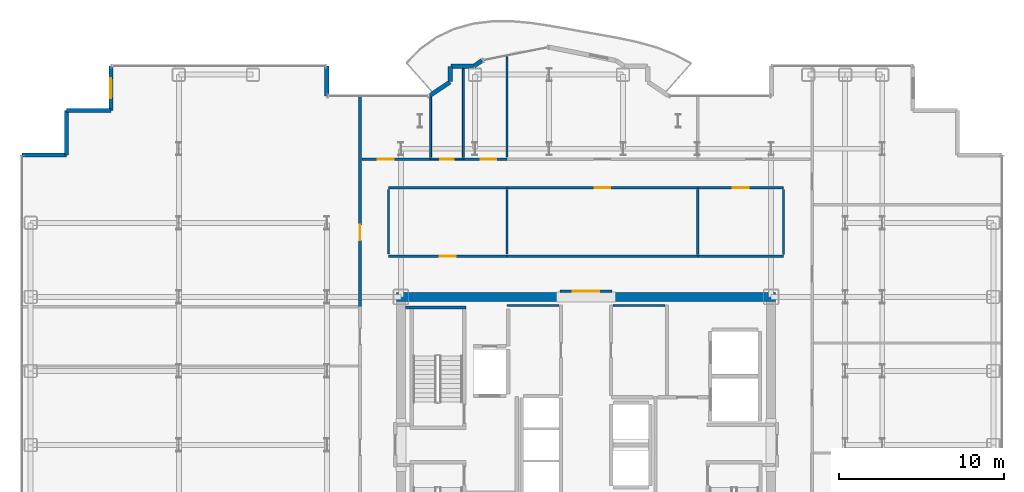
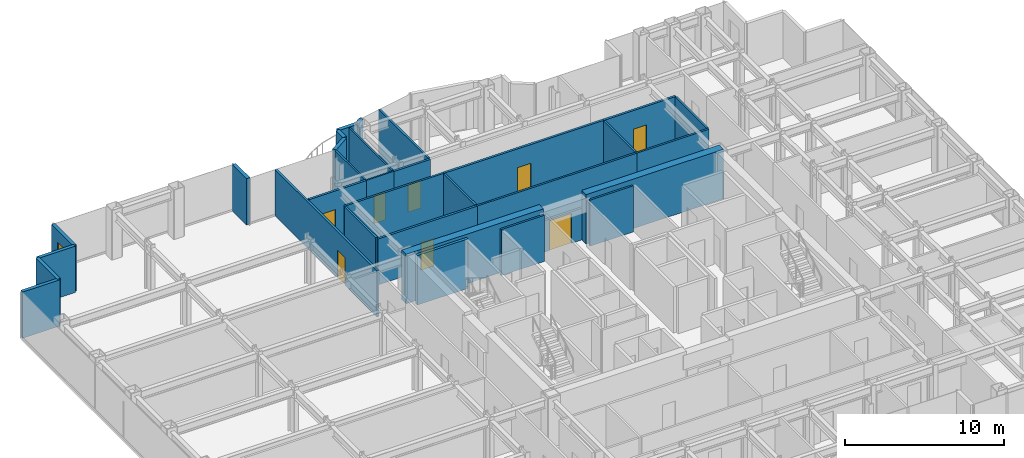
# One storey, part 19 of 23: 32 walls, 8 doors, 1 window, 9 openings.
"""IFC4 building model written with IfcOpenShell, lengths in metres."""

from ifc_helpers import new_model, si_unit, direction, frame, frame_2d, origin, place, context, subcontext, project, spatial, rectangle, extrude, source, transform, mapped, material, layer, layer_set, type_object, element, fill, save


model = new_model("IFC4")

# Units and contexts
model_context = context("Model", 3, precision=1e-05, world=origin(), true_north=direction((0.0, 1.0)))
body_context = subcontext(model_context, "Body", "Model", "MODEL_VIEW")
ifc_project = project(units=[si_unit("LENGTHUNIT", "METRE"), si_unit("AREAUNIT", "SQUARE_METRE"), si_unit("VOLUMEUNIT", "CUBIC_METRE"), si_unit("PLANEANGLEUNIT", "RADIAN"), si_unit("MASSUNIT", "GRAM", prefix="KILO")], contexts=[model_context])

# Site, building, storey
site_placement = place(None, origin())
site = spatial("IfcSite", under=ifc_project, at=site_placement, CompositionType="ELEMENT")
building_placement = place(site_placement, origin())
building = spatial("IfcBuilding", under=site, at=building_placement, Name="Nefas-Gora Pilgrimage Tower", CompositionType="ELEMENT")
storey_placement = place(building_placement, frame((0.0, 0.0, 164.0)))
storey = spatial("IfcBuildingStorey", under=building, at=storey_placement, Name="L40", CompositionType="ELEMENT", Elevation=164.0)

# Walls
ifc_material_1 = material(Name="Concrete C60/75", Category="concrete")
ifc_layer_1 = layer(ifc_material_1, 0.550048828125)
ifc_layer_set_1 = layer_set([ifc_layer_1], Name="Concrete C60/75")
wall_type_1 = type_object("IfcWallType", Name="SW-CORE-550", PredefinedType="SHEAR", material=ifc_layer_set_1)
shared_shape_1 = source(origin(), body_context, "Body", "SweptSolid", [
    extrude(rectangle(XDim=9.974853515625, YDim=0.550048828125, at=frame_2d((4.9873046875, 0.0))), origin(), (0.0, 0.0, 1.0), 3.800048828125),
])
for number, where, z_axis, x_axis, name in (
    (1, (-11.52490234375, 9.0, 0.0), (0.0, 0.0, 1.0), (1.0, 0.0, 0.0), "L40 Core Shear Wall N-West"),
    (2, (1.550048828125, 9.0, 0.0), (0.0, 0.0, 1.0), (1.0, 0.0, 0.0), "L40 Core Shear Wall N-East"),
):
    element("IfcWall", number, at=place(storey_placement, frame(where, z_axis=z_axis, x_axis=x_axis)), inside=storey, type_object=wall_type_1, Name=name, PredefinedType="SHEAR", context=body_context, shape_type="MappedRepresentation", body=[
        mapped(shared_shape_1, transform((0.0, 0.0, 0.0), x_axis=(1.0, 0.0, 0.0), y_axis=(0.0, 1.0, 0.0), z_axis=(0.0, 0.0, 1.0), scale=1.0)),
    ])
ifc_material_2 = material(Name="Precast concrete C40/50", Category="concrete")
ifc_layer_2 = layer(ifc_material_2, 0.260009765625)
ifc_layer_set_2 = layer_set([ifc_layer_2], Name="Precast concrete C40/50")
wall_type_2 = type_object("IfcWallType", Name="EW-PORTAL-260", PredefinedType="SOLIDWALL", material=ifc_layer_set_2)
shared_shape_2 = source(origin(), body_context, "Body", "SweptSolid", [
    extrude(rectangle(XDim=1.800048828125, YDim=0.260009765625, at=frame_2d((0.89990234375, 0.0))), origin(), (0.0, 0.0, 1.0), 3.550048828125),
])
wall_1_placement = place(storey_placement, frame((-15.75, 21.219970703125, 0.0), z_axis=(0.0, 0.0, 1.0), x_axis=(0.0, 1.0, 0.0)))
element("IfcWall", 3, at=wall_1_placement, inside=storey, type_object=wall_type_2, Name="L40 Lobe Shoulder Precast Spandrel Pier 20", PredefinedType="SOLIDWALL", context=body_context, shape_type="MappedRepresentation", body=[
    mapped(shared_shape_2, transform((0.0, 0.0, 0.0), x_axis=(1.0, 0.0, 0.0), y_axis=(0.0, 1.0, 0.0), z_axis=(0.0, 0.0, 1.0), scale=1.0)),
])

# Wall, opening, window
ifc_material_3 = material(Name="Precast concrete C45/55", Category="concrete")
ifc_layer_3 = layer(ifc_material_3, 0.239990234375)
ifc_layer_set_3 = layer_set([ifc_layer_3], Name="Precast concrete C45/55")
wall_type_3 = type_object("IfcWallType", Name="EW-SERR-240", PredefinedType="SHEAR", material=ifc_layer_set_3)
shared_shape_3 = source(origin(), body_context, "Body", "SweptSolid", [
    extrude(rectangle(XDim=2.699951171875, YDim=0.239990234375, at=frame_2d((1.35009765625, 0.0))), origin(), (0.0, 0.0, 1.0), 3.550048828125),
])
wall_2_placement = place(storey_placement, frame((-28.8701171875, 23.02001953125, 0.0), z_axis=(0.0, 0.0, 1.0), x_axis=(0.0, -1.0, 0.0)))
wall_2 = element("IfcWall", 4, at=wall_2_placement, inside=storey, type_object=wall_type_3, Name="L40 Serrated Corner Shear Pier Wall 21", PredefinedType="SHEAR", context=body_context, shape_type="MappedRepresentation", body=[
    mapped(shared_shape_3, transform((0.0, 0.0, 0.0), x_axis=(1.0, 0.0, 0.0), y_axis=(0.0, 1.0, 0.0), z_axis=(0.0, 0.0, 1.0), scale=1.0)),
])
opening_1_placement = place(wall_2_placement, frame((0.75, 0.0, 0.85009765625)))
opening_1 = element("IfcOpeningElement", 5, at=opening_1_placement, cuts=wall_2, Name="Opening W-V1", PredefinedType="OPENING", context=body_context, shape_type="SweptSolid", body=[
    extrude(rectangle(XDim=1.199951171875, YDim=1.800048828125, at=frame_2d((0.60009765625, 0.89990234375))), frame((0.0, 0.1298828125, 0.0), z_axis=(0.0, -1.0, 0.0), x_axis=(1.0, 0.0, 0.0)), (0.0, 0.0, 1.0), 0.260009765625),
])
ifc_material_4 = material(Name="Dark ceramic-fritted operable aluminium-glass window", Category="aluminium")
window_type = type_object("IfcWindowType", Name="WIN-VENT-1200x1800", PartitioningType="SINGLE_PANEL", PredefinedType="WINDOW", material=ifc_material_4)
shared_shape_4 = source(origin(), body_context, "Body", "SweptSolid", [
    extrude(rectangle(XDim=1.199951171875, YDim=1.800048828125, at=frame_2d((0.60009765625, 0.89990234375))), frame((0.0, 0.030029296875, 0.0), z_axis=(0.0, -1.0, 0.0), x_axis=(1.0, 0.0, 0.0)), (0.0, 0.0, 1.0), 0.06005859375),
])
window_placement = place(opening_1_placement, origin())
window = element("IfcWindow", 6, at=window_placement, inside=storey, type_object=window_type, Name="L40 Operable Parallel-Outswing Window 21", OverallHeight=1.800048828125, OverallWidth=1.199951171875, PartitioningType="SINGLE_PANEL", PredefinedType="WINDOW", context=body_context, shape_type="MappedRepresentation", body=[
    mapped(shared_shape_4, transform((0.0, 0.0, 0.0), x_axis=(1.0, 0.0, 0.0), y_axis=(0.0, 1.0, 0.0), z_axis=(0.0, 0.0, 1.0), scale=1.0)),
])
fill(opening_1, window)

# Walls
for number, where, z_axis, x_axis, name in (
    (7, (-28.8701171875, 20.320068359375, 0.0), (0.0, 0.0, 1.0), (-1.0, 0.0, 0.0), "L40 Serrated Corner Shear Pier Wall 22"),
    (8, (-31.570068359375, 20.320068359375, 0.0), (0.0, 0.0, 1.0), (0.0, -1.0, 0.0), "L40 Serrated Corner Shear Pier Wall 23"),
    (9, (-31.570068359375, 17.6201171875, 0.0), (0.0, 0.0, 1.0), (-1.0, 0.0, 0.0), "L40 Serrated Corner Shear Pier Wall 24"),
):
    element("IfcWall", number, at=place(storey_placement, frame(where, z_axis=z_axis, x_axis=x_axis)), inside=storey, type_object=wall_type_3, Name=name, PredefinedType="SHEAR", context=body_context, shape_type="MappedRepresentation", body=[
        mapped(shared_shape_3, transform((0.0, 0.0, 0.0), x_axis=(1.0, 0.0, 0.0), y_axis=(0.0, 1.0, 0.0), z_axis=(0.0, 0.0, 1.0), scale=1.0)),
    ])
shared_shape_5 = source(origin(), body_context, "Body", "SweptSolid", [
    extrude(rectangle(XDim=1.468994140625, YDim=0.260009765625, at=frame_2d((0.734375, 0.0))), origin(), (0.0, 0.0, 1.0), 3.550048828125),
])
wall_3_placement = place(storey_placement, frame((-8.273193359375, 22.0517578125, 0.0), z_axis=(0.0, 0.0, 1.0), x_axis=(-0.831461760506, -0.555581983884, 0.0)))
element("IfcWall", 10, at=wall_3_placement, inside=storey, type_object=wall_type_2, Name="L40 Lobe Shoulder Precast Spandrel Pier 19", PredefinedType="SOLIDWALL", context=body_context, shape_type="MappedRepresentation", body=[
    mapped(shared_shape_5, transform((0.0, 0.0, 0.0), x_axis=(1.0, 0.0, 0.0), y_axis=(0.0, 1.0, 0.0), z_axis=(0.0, 0.0, 1.0), scale=1.0)),
])
shared_shape_6 = source(origin(), body_context, "Body", "SweptSolid", [
    extrude(rectangle(XDim=0.896728515625, YDim=0.260009765625, at=frame_2d((0.4482421875, 0.0))), origin(), (0.0, 0.0, 1.0), 3.550048828125),
])
wall_4_placement = place(storey_placement, frame((-8.25, 22.991943359375, 0.0), z_axis=(0.0, 0.0, 1.0), x_axis=(0.0, -1.0, 0.0)))
element("IfcWall", 11, at=wall_4_placement, inside=storey, type_object=wall_type_2, Name="L40 Lobe Shoulder Precast Spandrel Pier 18", PredefinedType="SOLIDWALL", context=body_context, shape_type="MappedRepresentation", body=[
    mapped(shared_shape_6, transform((0.0, 0.0, 0.0), x_axis=(1.0, 0.0, 0.0), y_axis=(0.0, 1.0, 0.0), z_axis=(0.0, 0.0, 1.0), scale=1.0)),
])
shared_shape_7 = source(origin(), body_context, "Body", "SweptSolid", [
    extrude(rectangle(XDim=1.369873046875, YDim=0.260009765625, at=frame_2d((0.68505859375, 0.0))), origin(), (0.0, 0.0, 1.0), 3.550048828125),
])
wall_5_placement = place(storey_placement, frame((-6.85205078125, 23.02001953125, 0.0), z_axis=(0.0, 0.0, 1.0), x_axis=(-1.0, 0.0, 0.0)))
element("IfcWall", 12, at=wall_5_placement, inside=storey, type_object=wall_type_2, Name="L40 Lobe Shoulder Precast Spandrel Pier 17", PredefinedType="SOLIDWALL", context=body_context, shape_type="MappedRepresentation", body=[
    mapped(shared_shape_7, transform((0.0, 0.0, 0.0), x_axis=(1.0, 0.0, 0.0), y_axis=(0.0, 1.0, 0.0), z_axis=(0.0, 0.0, 1.0), scale=1.0)),
])
shared_shape_8 = source(origin(), body_context, "Body", "SweptSolid", [
    extrude(rectangle(XDim=0.5654296875, YDim=0.260009765625, at=frame_2d((0.28271484375, 0.0))), origin(), (0.0, 0.0, 1.0), 3.550048828125),
])
wall_6_placement = place(storey_placement, frame((-6.33056640625, 23.349609375, 0.0), z_axis=(0.0, 0.0, 1.0), x_axis=(-0.831651492666, -0.555297933317, 0.0)))
element("IfcWall", 13, at=wall_6_placement, inside=storey, type_object=wall_type_2, Name="L40 Lobe Shoulder Precast Spandrel Pier 16", PredefinedType="SOLIDWALL", context=body_context, shape_type="MappedRepresentation", body=[
    mapped(shared_shape_8, transform((0.0, 0.0, 0.0), x_axis=(1.0, 0.0, 0.0), y_axis=(0.0, 1.0, 0.0), z_axis=(0.0, 0.0, 1.0), scale=1.0)),
])
ifc_material_5 = material(Name="Concrete C45/55", Category="concrete")
ifc_layer_4 = layer(ifc_material_5, 0.199951171875)
ifc_layer_set_4 = layer_set([ifc_layer_4], Name="Concrete C45/55")
wall_type_4 = type_object("IfcWallType", Name="IW-STAIR-200", PredefinedType="SOLIDWALL", material=ifc_layer_set_4)
shared_shape_9 = source(origin(), body_context, "Body", "SweptSolid", [
    extrude(rectangle(XDim=3.679931640625, YDim=0.199951171875, at=frame_2d((1.83984375, 0.0))), origin(), (0.0, 0.0, 1.0), 3.800048828125),
])
wall_7_placement = place(storey_placement, frame((-7.300048828125, 8.35009765625, 0.0), z_axis=(0.0, 0.0, 1.0), x_axis=(-1.0, 0.0, 0.0)))
element("IfcWall", 14, at=wall_7_placement, inside=storey, type_object=wall_type_4, Name="L40 Stairwell Shear Wall ST-01-far", PredefinedType="SOLIDWALL", context=body_context, shape_type="MappedRepresentation", body=[
    mapped(shared_shape_9, transform((0.0, 0.0, 0.0), x_axis=(1.0, 0.0, 0.0), y_axis=(0.0, 1.0, 0.0), z_axis=(0.0, 0.0, 1.0), scale=1.0)),
])

# Wall, opening, door
ifc_material_6 = material(Name="Moisture-resistant fire-rated gypsum partition")
ifc_layer_5 = layer(ifc_material_6, 0.1201171875)
ifc_layer_set_5 = layer_set([ifc_layer_5], Name="Moisture-resistant fire-rated gypsum partition")
wall_type_5 = type_object("IfcWallType", Name="IW-WET-120", PredefinedType="PLUMBINGWALL", material=ifc_layer_set_5)
shared_shape_10 = source(origin(), body_context, "Body", "SweptSolid", [
    extrude(rectangle(XDim=2.02001953125, YDim=0.1201171875, at=frame_2d((1.010009765625, 0.0))), origin(), (0.0, 0.0, 1.0), 3.534912109375),
])
wall_8_placement = place(storey_placement, frame((-9.4599609375, 17.3701171875, 0.0), z_axis=(0.0, 0.0, 1.0), x_axis=(1.0, 0.0, 0.0)))
wall_8 = element("IfcWall", 15, at=wall_8_placement, inside=storey, type_object=wall_type_5, Name="L40 Accessible Unisex WC Partition Wall 25", PredefinedType="PLUMBINGWALL", context=body_context, shape_type="MappedRepresentation", body=[
    mapped(shared_shape_10, transform((0.0, 0.0, 0.0), x_axis=(1.0, 0.0, 0.0), y_axis=(0.0, 1.0, 0.0), z_axis=(0.0, 0.0, 1.0), scale=1.0)),
])
opening_2_placement = place(wall_8_placement, frame((0.5849609375, 0.0, 0.0)))
opening_2 = element("IfcOpeningElement", 16, at=opening_2_placement, cuts=wall_8, Name="Opening ID-BT1", PredefinedType="OPENING", context=body_context, shape_type="SweptSolid", body=[
    extrude(rectangle(XDim=0.85009765625, YDim=2.10009765625, at=frame_2d((0.425048828125, 1.050048828125))), frame((0.0, 0.070068359375, 0.0), z_axis=(0.0, -1.0, 0.0), x_axis=(1.0, 0.0, 0.0)), (0.0, 0.0, 1.0), 0.14013671875),
])
ifc_material_7 = material(Name="Moisture-resistant fire-rated timber door", Category="wood")
door_type_1 = type_object("IfcDoorType", Name="DR-INT-BATH-850", OperationType="NOTDEFINED", PredefinedType="DOOR", material=ifc_material_7)
shared_shape_11 = source(origin(), body_context, "Body", "SweptSolid", [
    extrude(rectangle(XDim=0.85009765625, YDim=2.10009765625, at=frame_2d((0.425048828125, 1.050048828125))), frame((0.0, 0.02490234375, 0.0), z_axis=(0.0, -1.0, 0.0), x_axis=(1.0, 0.0, 0.0)), (0.0, 0.0, 1.0), 0.050048828125),
])
door_1_placement = place(opening_2_placement, origin())
door_1 = element("IfcDoor", 17, at=door_1_placement, inside=storey, type_object=door_type_1, Name="L40 Accessible Unisex WC Door 10", OperationType="SINGLE_SWING_LEFT", OverallHeight=2.10009765625, OverallWidth=0.85009765625, PredefinedType="DOOR", context=body_context, shape_type="MappedRepresentation", body=[
    mapped(shared_shape_11, transform((0.0, 0.0, 0.0), x_axis=(1.0, 0.0, 0.0), y_axis=(0.0, 1.0, 0.0), z_axis=(0.0, 0.0, 1.0), scale=1.0)),
])
fill(opening_2, door_1)

# Walls
ifc_material_8 = material(Name="Gypsum twin-stud partition")
ifc_layer_6 = layer(ifc_material_8, 0.139892578125)
ifc_layer_set_6 = layer_set([ifc_layer_6], Name="Gypsum twin-stud partition")
wall_type_6 = type_object("IfcWallType", Name="IW-UNIT-140", PredefinedType="PARTITIONING", material=ifc_layer_set_6)
shared_shape_12 = source(origin(), body_context, "Body", "SweptSolid", [
    extrude(rectangle(XDim=3.150146484375, YDim=0.139892578125, at=frame_2d((1.5751953125, 0.0))), origin(), (0.0, 0.0, 1.0), 3.534912109375),
])
for number, where, z_axis, x_axis, name in (
    (18, (-4.7900390625, 8.47998046875, 0.0), (0.0, 0.0, 1.0), (1.0, 0.0, 0.0), "L40 Housekeeping and Linen Store Partition Wall 19"),
    (19, (1.639892578125, 8.47998046875, 0.0), (0.0, 0.0, 1.0), (1.0, 0.0, 0.0), "L40 Freed Bank-1 Amenity Supply Store Partition Wall 24"),
):
    element("IfcWall", number, at=place(storey_placement, frame(where, z_axis=z_axis, x_axis=x_axis)), inside=storey, type_object=wall_type_6, Name=name, PredefinedType="PARTITIONING", context=body_context, shape_type="MappedRepresentation", body=[
        mapped(shared_shape_12, transform((0.0, 0.0, 0.0), x_axis=(1.0, 0.0, 0.0), y_axis=(0.0, 1.0, 0.0), z_axis=(0.0, 0.0, 1.0), scale=1.0)),
    ])

# Wall, opening, door
ifc_material_9 = material(Name="Gypsum acoustic stud partition")
ifc_layer_7 = layer(ifc_material_9, 0.159912109375)
ifc_layer_set_7 = layer_set([ifc_layer_7], Name="Gypsum acoustic stud partition")
wall_type_7 = type_object("IfcWallType", Name="IW-CORR-160", PredefinedType="PARTITIONING", material=ifc_layer_set_7)
shared_shape_13 = source(origin(), body_context, "Body", "SweptSolid", [
    extrude(rectangle(XDim=12.844970703125, YDim=0.159912109375, at=frame_2d((6.42236328125, 0.0))), origin(), (0.0, 0.0, 1.0), 3.534912109375),
])
wall_9_placement = place(storey_placement, frame((-13.739990234375, 8.39501953125, 0.0), z_axis=(0.0, 0.0, 1.0), x_axis=(0.0, 1.0, 0.0)))
wall_9 = element("IfcWall", 20, at=wall_9_placement, inside=storey, type_object=wall_type_7, Name="L40 Pilgrim Fellowship Seminar Room Partition Wall 36", PredefinedType="PARTITIONING", context=body_context, shape_type="MappedRepresentation", body=[
    mapped(shared_shape_13, transform((0.0, 0.0, 0.0), x_axis=(1.0, 0.0, 0.0), y_axis=(0.0, 1.0, 0.0), z_axis=(0.0, 0.0, 1.0), scale=1.0)),
])
opening_3_placement = place(wall_9_placement, frame((4.032470703125, 0.0, 0.0)))
opening_3 = element("IfcOpeningElement", 21, at=opening_3_placement, cuts=wall_9, Name="Opening ID-GR1", PredefinedType="OPENING", context=body_context, shape_type="SweptSolid", body=[
    extrude(rectangle(XDim=0.949951171875, YDim=2.10009765625, at=frame_2d((0.47509765625, 1.050048828125))), frame((0.0, 0.08984375, 0.0), z_axis=(0.0, -1.0, 0.0), x_axis=(1.0, 0.0, 0.0)), (0.0, 0.0, 1.0), 0.179931640625),
])
ifc_material_10 = material(Name="Solid core oak fire-rated guest entrance door")
door_type_2 = type_object("IfcDoorType", Name="DR-INT-GUEST-950", OperationType="NOTDEFINED", PredefinedType="DOOR", material=ifc_material_10)
shared_shape_14 = source(origin(), body_context, "Body", "SweptSolid", [
    extrude(rectangle(XDim=0.949951171875, YDim=2.10009765625, at=frame_2d((0.47509765625, 1.050048828125))), frame((0.0, 0.02490234375, 0.0), z_axis=(0.0, -1.0, 0.0), x_axis=(1.0, 0.0, 0.0)), (0.0, 0.0, 1.0), 0.050048828125),
])
door_2_placement = place(opening_3_placement, origin())
door_2 = element("IfcDoor", 22, at=door_2_placement, inside=storey, type_object=door_type_2, Name="L40 Pilgrim Fellowship Seminar Room Door 15", OperationType="SINGLE_SWING_RIGHT", OverallHeight=2.10009765625, OverallWidth=0.949951171875, PredefinedType="DOOR", context=body_context, shape_type="MappedRepresentation", body=[
    mapped(shared_shape_14, transform((0.0, 0.0, 0.0), x_axis=(1.0, 0.0, 0.0), y_axis=(0.0, 1.0, 0.0), z_axis=(0.0, 0.0, 1.0), scale=1.0)),
])
fill(opening_3, door_2)

shared_shape_15 = source(origin(), body_context, "Body", "SweptSolid", [
    extrude(rectangle(XDim=3.16015625, YDim=0.159912109375, at=frame_2d((1.580078125, 0.0))), origin(), (0.0, 0.0, 1.0), 2.425048828125),
])
wall_10_placement = place(storey_placement, frame((-1.580078125, 9.35009765625, 0.0), z_axis=(0.0, 0.0, 1.0), x_axis=(1.0, 0.0, 0.0)))
wall_10 = element("IfcWall", 23, at=wall_10_placement, inside=storey, type_object=wall_type_7, Name="L40 Central Lift Lobby North Portal Wall 15", PredefinedType="PARTITIONING", context=body_context, shape_type="MappedRepresentation", body=[
    mapped(shared_shape_15, transform((0.0, 0.0, 0.0), x_axis=(1.0, 0.0, 0.0), y_axis=(0.0, 1.0, 0.0), z_axis=(0.0, 0.0, 1.0), scale=1.0)),
])
opening_4_placement = place(wall_10_placement, frame((0.780029296875, 0.0, 0.0)))
opening_4 = element("IfcOpeningElement", 24, at=opening_4_placement, cuts=wall_10, Name="Opening ID-HL1", PredefinedType="OPENING", context=body_context, shape_type="SweptSolid", body=[
    extrude(rectangle(XDim=1.60009765625, YDim=2.300048828125, at=frame_2d((0.800048828125, 1.14990234375))), frame((0.0, 0.08984375, 0.0), z_axis=(0.0, -1.0, 0.0), x_axis=(1.0, 0.0, 0.0)), (0.0, 0.0, 1.0), 0.179931640625),
])
ifc_material_11 = material(Name="Double acoustic timber assembly hall door", Category="wood")
door_type_3 = type_object("IfcDoorType", Name="DR-INT-HALL-1600", OperationType="DOUBLE_DOOR_SINGLE_SWING", PredefinedType="DOOR", material=ifc_material_11)
shared_shape_16 = source(origin(), body_context, "Body", "SweptSolid", [
    extrude(rectangle(XDim=1.60009765625, YDim=2.300048828125, at=frame_2d((0.800048828125, 1.14990234375))), frame((0.0, 0.02490234375, 0.0), z_axis=(0.0, -1.0, 0.0), x_axis=(1.0, 0.0, 0.0)), (0.0, 0.0, 1.0), 0.050048828125),
])
door_3_placement = place(opening_4_placement, origin())
door_3 = element("IfcDoor", 25, at=door_3_placement, inside=storey, type_object=door_type_3, Name="L40 Central Lift Lobby North Portal Door 5", OperationType="DOUBLE_DOOR_SINGLE_SWING", OverallHeight=2.300048828125, OverallWidth=1.60009765625, PredefinedType="DOOR", context=body_context, shape_type="MappedRepresentation", body=[
    mapped(shared_shape_16, transform((0.0, 0.0, 0.0), x_axis=(1.0, 0.0, 0.0), y_axis=(0.0, 1.0, 0.0), z_axis=(0.0, 0.0, 1.0), scale=1.0)),
])
fill(opening_4, door_3)

# Walls
shared_shape_17 = source(origin(), body_context, "Body", "SweptSolid", [
    extrude(rectangle(XDim=5.380126953125, YDim=0.1201171875, at=frame_2d((2.68994140625, 0.0))), origin(), (0.0, 0.0, 1.0), 3.534912109375),
])
wall_11_placement = place(storey_placement, frame((-7.449951171875, 17.469970703125, 0.0), z_axis=(0.0, 0.0, 1.0), x_axis=(0.0, 1.0, 0.0)))
element("IfcWall", 26, at=wall_11_placement, inside=storey, type_object=wall_type_5, Name="L40 Accessible Unisex WC Partition Wall 26", PredefinedType="PLUMBINGWALL", context=body_context, shape_type="MappedRepresentation", body=[
    mapped(shared_shape_17, transform((0.0, 0.0, 0.0), x_axis=(1.0, 0.0, 0.0), y_axis=(0.0, 1.0, 0.0), z_axis=(0.0, 0.0, 1.0), scale=1.0)),
])
shared_shape_18 = source(origin(), body_context, "Body", "SweptSolid", [
    extrude(rectangle(XDim=3.686767578125, YDim=0.1201171875, at=frame_2d((1.84326171875, 0.0))), origin(), (0.0, 0.0, 1.0), 3.534912109375),
])
wall_12_placement = place(storey_placement, frame((-9.449951171875, 17.469970703125, 0.0), z_axis=(0.0, 0.0, 1.0), x_axis=(0.0, 1.0, 0.0)))
element("IfcWall", 27, at=wall_12_placement, inside=storey, type_object=wall_type_5, Name="L40 Accessible Unisex WC Partition Wall 27", PredefinedType="PLUMBINGWALL", context=body_context, shape_type="MappedRepresentation", body=[
    mapped(shared_shape_18, transform((0.0, 0.0, 0.0), x_axis=(1.0, 0.0, 0.0), y_axis=(0.0, 1.0, 0.0), z_axis=(0.0, 0.0, 1.0), scale=1.0)),
])
shared_shape_19 = source(origin(), body_context, "Body", "SweptSolid", [
    extrude(rectangle(XDim=3.929931640625, YDim=0.139892578125, at=frame_2d((1.96484375, 0.0))), origin(), (0.0, 0.0, 1.0), 3.534912109375),
])
for number, where, z_axis, x_axis, name in (
    (28, (-12.0, 11.590087890625, 0.0), (0.0, 0.0, 1.0), (0.0, 1.0, 0.0), "L40 Pastoral Chaplains Counselling Office Partition Wall 50"),
    (29, (-4.804931640625, 11.590087890625, 0.0), (0.0, 0.0, 1.0), (0.0, 1.0, 0.0), "L40 Pastoral Chaplains Counselling Office Partition Wall 51"),
    (30, (6.794921875, 11.580078125, 0.0), (0.0, 0.0, 1.0), (0.0, 1.0, 0.0), "L40 Pilgrim Contemplative Lounge Partition Wall 59"),
    (31, (12.0, 11.580078125, 0.0), (0.0, 0.0, 1.0), (0.0, 1.0, 0.0), "L40 Scripture Reading Study Partition Wall 63"),
):
    element("IfcWall", number, at=place(storey_placement, frame(where, z_axis=z_axis, x_axis=x_axis)), inside=storey, type_object=wall_type_6, Name=name, PredefinedType="PARTITIONING", context=body_context, shape_type="MappedRepresentation", body=[
        mapped(shared_shape_19, transform((0.0, 0.0, 0.0), x_axis=(1.0, 0.0, 0.0), y_axis=(0.0, 1.0, 0.0), z_axis=(0.0, 0.0, 1.0), scale=1.0)),
    ])

# Wall, opening, door
shared_shape_20 = source(origin(), body_context, "Body", "SweptSolid", [
    extrude(rectangle(XDim=4.16015625, YDim=0.159912109375, at=frame_2d((2.080078125, 0.0))), origin(), (0.0, 0.0, 1.0), 3.534912109375),
])
wall_13_placement = place(storey_placement, frame((-13.6201171875, 17.3701171875, 0.0), z_axis=(0.0, 0.0, 1.0), x_axis=(1.0, 0.0, 0.0)))
wall_13 = element("IfcWall", 32, at=wall_13_placement, inside=storey, type_object=wall_type_7, Name="L40 Pilgrim Contemplative Lounge Partition Wall 54", PredefinedType="PARTITIONING", context=body_context, shape_type="MappedRepresentation", body=[
    mapped(shared_shape_20, transform((0.0, 0.0, 0.0), x_axis=(1.0, 0.0, 0.0), y_axis=(0.0, 1.0, 0.0), z_axis=(0.0, 0.0, 1.0), scale=1.0)),
])
opening_5_placement = place(wall_13_placement, frame((0.968994140625, 0.0, 0.0)))
opening_5 = element("IfcOpeningElement", 33, at=opening_5_placement, cuts=wall_13, Name="Opening ID-GR1", PredefinedType="OPENING", context=body_context, shape_type="SweptSolid", body=[
    extrude(rectangle(XDim=0.949951171875, YDim=2.10009765625, at=frame_2d((0.47509765625, 1.050048828125))), frame((0.0, 0.08984375, 0.0), z_axis=(0.0, -1.0, 0.0), x_axis=(1.0, 0.0, 0.0)), (0.0, 0.0, 1.0), 0.179931640625),
])
door_4_placement = place(opening_5_placement, origin())
door_4 = element("IfcDoor", 34, at=door_4_placement, inside=storey, type_object=door_type_2, Name="L40 Pilgrim Contemplative Lounge Door 24", OperationType="SINGLE_SWING_LEFT", OverallHeight=2.10009765625, OverallWidth=0.949951171875, PredefinedType="DOOR", context=body_context, shape_type="MappedRepresentation", body=[
    mapped(shared_shape_14, transform((0.0, 0.0, 0.0), x_axis=(1.0, 0.0, 0.0), y_axis=(0.0, 1.0, 0.0), z_axis=(0.0, 0.0, 1.0), scale=1.0)),
])
fill(opening_5, door_4)

shared_shape_21 = source(origin(), body_context, "Body", "SweptSolid", [
    extrude(rectangle(XDim=7.215087890625, YDim=0.159912109375, at=frame_2d((3.607421875, 0.0))), origin(), (0.0, 0.0, 1.0), 3.534912109375),
])
wall_14_placement = place(storey_placement, frame((-12.010009765625, 11.469970703125, 0.0), z_axis=(0.0, 0.0, 1.0), x_axis=(1.0, 0.0, 0.0)))
wall_14 = element("IfcWall", 35, at=wall_14_placement, inside=storey, type_object=wall_type_7, Name="L40 Pastoral Chaplains Counselling Office Partition Wall 48", PredefinedType="PARTITIONING", context=body_context, shape_type="MappedRepresentation", body=[
    mapped(shared_shape_21, transform((0.0, 0.0, 0.0), x_axis=(1.0, 0.0, 0.0), y_axis=(0.0, 1.0, 0.0), z_axis=(0.0, 0.0, 1.0), scale=1.0)),
])
opening_6_placement = place(wall_14_placement, frame((3.132568359375, 0.0, 0.0)))
opening_6 = element("IfcOpeningElement", 36, at=opening_6_placement, cuts=wall_14, Name="Opening ID-GR1", PredefinedType="OPENING", context=body_context, shape_type="SweptSolid", body=[
    extrude(rectangle(XDim=0.949951171875, YDim=2.10009765625, at=frame_2d((0.47509765625, 1.050048828125))), frame((0.0, 0.08984375, 0.0), z_axis=(0.0, -1.0, 0.0), x_axis=(1.0, 0.0, 0.0)), (0.0, 0.0, 1.0), 0.179931640625),
])
door_5_placement = place(opening_6_placement, origin())
door_5 = element("IfcDoor", 37, at=door_5_placement, inside=storey, type_object=door_type_2, Name="L40 Pastoral Chaplains Counselling Office Door 22", OperationType="SINGLE_SWING_LEFT", OverallHeight=2.10009765625, OverallWidth=0.949951171875, PredefinedType="DOOR", context=body_context, shape_type="MappedRepresentation", body=[
    mapped(shared_shape_14, transform((0.0, 0.0, 0.0), x_axis=(1.0, 0.0, 0.0), y_axis=(0.0, 1.0, 0.0), z_axis=(0.0, 0.0, 1.0), scale=1.0)),
])
fill(opening_6, door_5)

# Wall
shared_shape_22 = source(origin(), body_context, "Body", "SweptSolid", [
    extrude(rectangle(XDim=7.215087890625, YDim=0.139892578125, at=frame_2d((3.607421875, 0.0))), origin(), (0.0, 0.0, 1.0), 3.534912109375),
])
wall_15_placement = place(storey_placement, frame((-12.010009765625, 15.6298828125, 0.0), z_axis=(0.0, 0.0, 1.0), x_axis=(1.0, 0.0, 0.0)))
element("IfcWall", 38, at=wall_15_placement, inside=storey, type_object=wall_type_6, Name="L40 Pastoral Chaplains Counselling Office Partition Wall 49", PredefinedType="PARTITIONING", context=body_context, shape_type="MappedRepresentation", body=[
    mapped(shared_shape_22, transform((0.0, 0.0, 0.0), x_axis=(1.0, 0.0, 0.0), y_axis=(0.0, 1.0, 0.0), z_axis=(0.0, 0.0, 1.0), scale=1.0)),
])

# Wall, opening, door
shared_shape_23 = source(origin(), body_context, "Body", "SweptSolid", [
    extrude(rectangle(XDim=2.64501953125, YDim=0.159912109375, at=frame_2d((1.322509765625, 0.0))), origin(), (0.0, 0.0, 1.0), 3.534912109375),
])
wall_16_placement = place(storey_placement, frame((-7.43994140625, 17.3701171875, 0.0), z_axis=(0.0, 0.0, 1.0), x_axis=(1.0, 0.0, 0.0)))
wall_16 = element("IfcWall", 39, at=wall_16_placement, inside=storey, type_object=wall_type_7, Name="L40 Pilgrim Contemplative Lounge Partition Wall 52", PredefinedType="PARTITIONING", context=body_context, shape_type="MappedRepresentation", body=[
    mapped(shared_shape_23, transform((0.0, 0.0, 0.0), x_axis=(1.0, 0.0, 0.0), y_axis=(0.0, 1.0, 0.0), z_axis=(0.0, 0.0, 1.0), scale=1.0)),
])
opening_7_placement = place(wall_16_placement, frame((1.029052734375, 0.0, 0.0)))
opening_7 = element("IfcOpeningElement", 40, at=opening_7_placement, cuts=wall_16, Name="Opening ID-GR1", PredefinedType="OPENING", context=body_context, shape_type="SweptSolid", body=[
    extrude(rectangle(XDim=0.949951171875, YDim=2.10009765625, at=frame_2d((0.47509765625, 1.050048828125))), frame((0.0, 0.08984375, 0.0), z_axis=(0.0, -1.0, 0.0), x_axis=(1.0, 0.0, 0.0)), (0.0, 0.0, 1.0), 0.179931640625),
])
door_6_placement = place(opening_7_placement, origin())
door_6 = element("IfcDoor", 41, at=door_6_placement, inside=storey, type_object=door_type_2, Name="L40 Pilgrim Contemplative Lounge Door 23", OperationType="SINGLE_SWING_RIGHT", OverallHeight=2.10009765625, OverallWidth=0.949951171875, PredefinedType="DOOR", context=body_context, shape_type="MappedRepresentation", body=[
    mapped(shared_shape_14, transform((0.0, 0.0, 0.0), x_axis=(1.0, 0.0, 0.0), y_axis=(0.0, 1.0, 0.0), z_axis=(0.0, 0.0, 1.0), scale=1.0)),
])
fill(opening_7, door_6)

# Wall
shared_shape_24 = source(origin(), body_context, "Body", "SweptSolid", [
    extrude(rectangle(XDim=6.196533203125, YDim=0.139892578125, at=frame_2d((3.09814453125, 0.0))), origin(), (0.0, 0.0, 1.0), 3.534912109375),
])
wall_17_placement = place(storey_placement, frame((-4.804931640625, 17.489990234375, 0.0), z_axis=(0.0, 0.0, 1.0), x_axis=(0.0, 1.0, 0.0)))
element("IfcWall", 42, at=wall_17_placement, inside=storey, type_object=wall_type_6, Name="L40 Pilgrim Contemplative Lounge Partition Wall 53", PredefinedType="PARTITIONING", context=body_context, shape_type="MappedRepresentation", body=[
    mapped(shared_shape_24, transform((0.0, 0.0, 0.0), x_axis=(1.0, 0.0, 0.0), y_axis=(0.0, 1.0, 0.0), z_axis=(0.0, 0.0, 1.0), scale=1.0)),
])

# Wall, opening, door
shared_shape_25 = source(origin(), body_context, "Body", "SweptSolid", [
    extrude(rectangle(XDim=11.60986328125, YDim=0.159912109375, at=frame_2d((5.804931640625, 0.0))), origin(), (0.0, 0.0, 1.0), 3.534912109375),
])
wall_18_placement = place(storey_placement, frame((-4.804931640625, 15.6298828125, 0.0), z_axis=(0.0, 0.0, 1.0), x_axis=(1.0, 0.0, 0.0)))
wall_18 = element("IfcWall", 43, at=wall_18_placement, inside=storey, type_object=wall_type_7, Name="L40 Pilgrim Contemplative Lounge Partition Wall 57", PredefinedType="PARTITIONING", context=body_context, shape_type="MappedRepresentation", body=[
    mapped(shared_shape_25, transform((0.0, 0.0, 0.0), x_axis=(1.0, 0.0, 0.0), y_axis=(0.0, 1.0, 0.0), z_axis=(0.0, 0.0, 1.0), scale=1.0)),
])
opening_8_placement = place(wall_18_placement, frame((5.330078125, 0.0, 0.0)))
opening_8 = element("IfcOpeningElement", 44, at=opening_8_placement, cuts=wall_18, Name="Opening ID-GR1", PredefinedType="OPENING", context=body_context, shape_type="SweptSolid", body=[
    extrude(rectangle(XDim=0.949951171875, YDim=2.10009765625, at=frame_2d((0.47509765625, 1.050048828125))), frame((0.0, 0.08984375, 0.0), z_axis=(0.0, -1.0, 0.0), x_axis=(1.0, 0.0, 0.0)), (0.0, 0.0, 1.0), 0.179931640625),
])
door_7_placement = place(opening_8_placement, origin())
door_7 = element("IfcDoor", 45, at=door_7_placement, inside=storey, type_object=door_type_2, Name="L40 Pilgrim Contemplative Lounge Door 26", OperationType="SINGLE_SWING_LEFT", OverallHeight=2.10009765625, OverallWidth=0.949951171875, PredefinedType="DOOR", context=body_context, shape_type="MappedRepresentation", body=[
    mapped(shared_shape_14, transform((0.0, 0.0, 0.0), x_axis=(1.0, 0.0, 0.0), y_axis=(0.0, 1.0, 0.0), z_axis=(0.0, 0.0, 1.0), scale=1.0)),
])
fill(opening_8, door_7)

# Wall
shared_shape_26 = source(origin(), body_context, "Body", "SweptSolid", [
    extrude(rectangle(XDim=11.60986328125, YDim=0.139892578125, at=frame_2d((5.804931640625, 0.0))), origin(), (0.0, 0.0, 1.0), 3.534912109375),
])
wall_19_placement = place(storey_placement, frame((-4.804931640625, 11.469970703125, 0.0), z_axis=(0.0, 0.0, 1.0), x_axis=(1.0, 0.0, 0.0)))
element("IfcWall", 46, at=wall_19_placement, inside=storey, type_object=wall_type_6, Name="L40 Pilgrim Contemplative Lounge Partition Wall 58", PredefinedType="PARTITIONING", context=body_context, shape_type="MappedRepresentation", body=[
    mapped(shared_shape_26, transform((0.0, 0.0, 0.0), x_axis=(1.0, 0.0, 0.0), y_axis=(0.0, 1.0, 0.0), z_axis=(0.0, 0.0, 1.0), scale=1.0)),
])

# Wall, opening, door
shared_shape_27 = source(origin(), body_context, "Body", "SweptSolid", [
    extrude(rectangle(XDim=5.215087890625, YDim=0.159912109375, at=frame_2d((2.607421875, 0.0))), origin(), (0.0, 0.0, 1.0), 3.534912109375),
])
wall_20_placement = place(storey_placement, frame((6.794921875, 15.6298828125, 0.0), z_axis=(0.0, 0.0, 1.0), x_axis=(1.0, 0.0, 0.0)))
wall_20 = element("IfcWall", 47, at=wall_20_placement, inside=storey, type_object=wall_type_7, Name="L40 Scripture Reading Study Partition Wall 61", PredefinedType="PARTITIONING", context=body_context, shape_type="MappedRepresentation", body=[
    mapped(shared_shape_27, transform((0.0, 0.0, 0.0), x_axis=(1.0, 0.0, 0.0), y_axis=(0.0, 1.0, 0.0), z_axis=(0.0, 0.0, 1.0), scale=1.0)),
])
opening_9_placement = place(wall_20_placement, frame((2.132568359375, 0.0, 0.0)))
opening_9 = element("IfcOpeningElement", 48, at=opening_9_placement, cuts=wall_20, Name="Opening ID-GR1", PredefinedType="OPENING", context=body_context, shape_type="SweptSolid", body=[
    extrude(rectangle(XDim=0.949951171875, YDim=2.10009765625, at=frame_2d((0.47509765625, 1.050048828125))), frame((0.0, 0.08984375, 0.0), z_axis=(0.0, -1.0, 0.0), x_axis=(1.0, 0.0, 0.0)), (0.0, 0.0, 1.0), 0.179931640625),
])
door_8_placement = place(opening_9_placement, origin())
door_8 = element("IfcDoor", 49, at=door_8_placement, inside=storey, type_object=door_type_2, Name="L40 Scripture Reading Study Door 28", OperationType="SINGLE_SWING_LEFT", OverallHeight=2.10009765625, OverallWidth=0.949951171875, PredefinedType="DOOR", context=body_context, shape_type="MappedRepresentation", body=[
    mapped(shared_shape_14, transform((0.0, 0.0, 0.0), x_axis=(1.0, 0.0, 0.0), y_axis=(0.0, 1.0, 0.0), z_axis=(0.0, 0.0, 1.0), scale=1.0)),
])
fill(opening_9, door_8)

# Wall
shared_shape_28 = source(origin(), body_context, "Body", "SweptSolid", [
    extrude(rectangle(XDim=5.215087890625, YDim=0.139892578125, at=frame_2d((2.607421875, 0.0))), origin(), (0.0, 0.0, 1.0), 3.534912109375),
])
wall_21_placement = place(storey_placement, frame((6.794921875, 11.469970703125, 0.0), z_axis=(0.0, 0.0, 1.0), x_axis=(1.0, 0.0, 0.0)))
element("IfcWall", 50, at=wall_21_placement, inside=storey, type_object=wall_type_6, Name="L40 Scripture Reading Study Partition Wall 62", PredefinedType="PARTITIONING", context=body_context, shape_type="MappedRepresentation", body=[
    mapped(shared_shape_28, transform((0.0, 0.0, 0.0), x_axis=(1.0, 0.0, 0.0), y_axis=(0.0, 1.0, 0.0), z_axis=(0.0, 0.0, 1.0), scale=1.0)),
])

save(model, "model.ifc")
